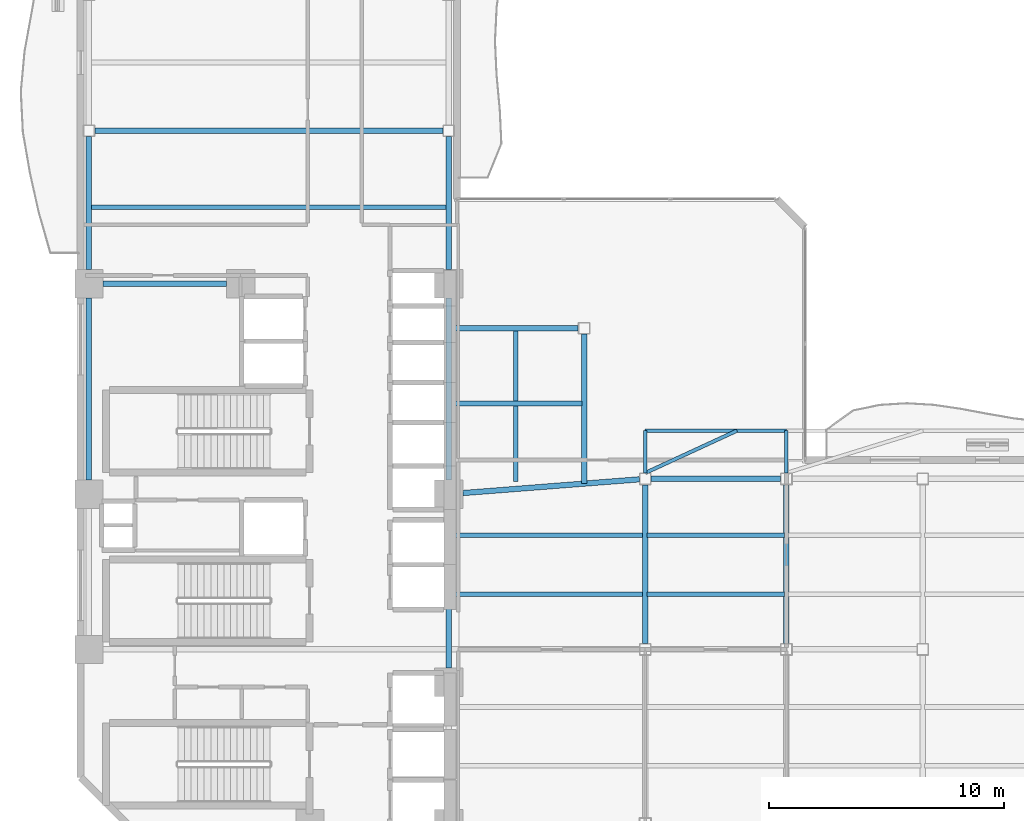
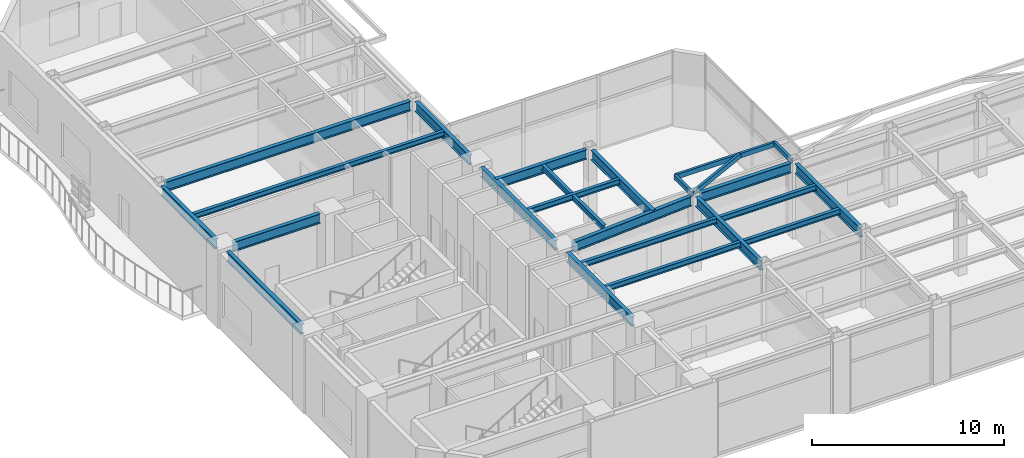
# One storey, part 6 of 23: 24 beams.
"""IFC4 building model written with IfcOpenShell, lengths in metres."""

from ifc_helpers import new_model, si_unit, direction, frame, origin, origin_2d, place, context, subcontext, project, spatial, hollow_rectangle, i_section, extrude, material, material_profile, profile_set, type_object, element, save


model = new_model("IFC4")

# Units and contexts
model_context = context("Model", 3, precision=1e-05, world=origin(), true_north=direction((0.0, 1.0)))
body_context = subcontext(model_context, "Body", "Model", "MODEL_VIEW")
ifc_project = project(units=[si_unit("LENGTHUNIT", "METRE"), si_unit("AREAUNIT", "SQUARE_METRE"), si_unit("VOLUMEUNIT", "CUBIC_METRE"), si_unit("PLANEANGLEUNIT", "RADIAN"), si_unit("MASSUNIT", "GRAM", prefix="KILO")], contexts=[model_context])

# Site, building, storey
site_placement = place(None, origin())
site = spatial("IfcSite", under=ifc_project, at=site_placement, CompositionType="ELEMENT")
building_placement = place(site_placement, origin())
building = spatial("IfcBuilding", under=site, at=building_placement, Name="Mawjaban Terraces University", CompositionType="ELEMENT")
storey_placement = place(building_placement, frame((0.0, 0.0, 98.39990234375)))
storey = spatial("IfcBuildingStorey", under=building, at=storey_placement, Name="L23", CompositionType="ELEMENT", Elevation=98.39990234375)

# Beams
ifc_material_1 = material(Name="Steel EN 10210-1 S355J2H", Category="steel")
ifc_material_profile_1 = material_profile(ifc_material_1, hollow_rectangle(XDim=0.14990234375, YDim=0.300048828125, WallThickness=0.012451171875, at=origin_2d()), Name="RHS300X150X12.5")
ifc_profile_set_1 = profile_set([ifc_material_profile_1], Name="Steel EN 10210-1 S355J2H")
beam_type_1 = type_object("IfcBeamType", Name="BalconyCantileverSpandrel_RHS", PredefinedType="SPANDREL", material=ifc_profile_set_1)
for number, where, z_axis, x_axis, name in (
    (1, (52.0, 15.449951171875, 4.64013671875), (0.0, 1.0, 0.0), (-1.0, 0.0, 0.0), "L23 Exterior Outrigger BAL-L24-N.1"),
    (2, (46.0, 15.449951171875, 4.64013671875), (0.0, 1.0, 0.0), (-1.0, 0.0, 0.0), "L23 Exterior Outrigger TER-L24-CLIMB.1"),
):
    element("IfcBeam", number, at=place(storey_placement, frame(where, z_axis=z_axis, x_axis=x_axis)), inside=storey, type_object=beam_type_1, Name=name, PredefinedType="SPANDREL", context=body_context, shape_type="SweptSolid", body=[
        extrude(hollow_rectangle(XDim=0.14990234375, YDim=0.300048828125, WallThickness=0.012451171875, at=origin_2d()), origin(), (0.0, 0.0, 1.0), 1.800048828125),
    ])
beam_1_placement = place(storey_placement, frame((46.0, 17.25, 4.64013671875), z_axis=(1.0, 0.0, 0.0), x_axis=(0.0, 1.0, 0.0)))
element("IfcBeam", 3, at=beam_1_placement, inside=storey, type_object=beam_type_1, Name="L23 Exterior Edge Spandrel TER-L24-CLIMB", PredefinedType="SPANDREL", context=body_context, shape_type="SweptSolid", body=[
    extrude(hollow_rectangle(XDim=0.14990234375, YDim=0.300048828125, WallThickness=0.012451171875, at=origin_2d()), origin(), (0.0, 0.0, 1.0), 6.0),
])
beam_2_placement = place(storey_placement, frame((46.0, 15.449951171875, 4.64013671875), z_axis=(0.907911124427, 0.419162725135, 0.0), x_axis=(-0.419162725135, 0.907911124427, 0.0)))
element("IfcBeam", 4, at=beam_2_placement, inside=storey, type_object=beam_type_1, Name="L23 Exterior Diagonal Strut TER-L24-CLIMB.1", PredefinedType="SPANDREL", context=body_context, shape_type="SweptSolid", body=[
    extrude(hollow_rectangle(XDim=0.14990234375, YDim=0.300048828125, WallThickness=0.012451171875, at=origin_2d()), origin(), (0.0, 0.0, 1.0), 4.29443359375),
])
ifc_material_2 = material(Name="Steel ASTM A572 Grade 50", Category="steel")
ifc_material_profile_2 = material_profile(ifc_material_2, i_section(OverallWidth=0.22998046875, OverallDepth=0.616943359375, WebThickness=0.01318359375, FlangeThickness=0.022216796875, at=origin_2d()), Name="W610X140")
ifc_profile_set_2 = profile_set([ifc_material_profile_2], Name="Steel ASTM A572 Grade 50")
beam_type_2 = type_object("IfcBeamType", Name="Beam_B_W610X140", PredefinedType="BEAM", material=ifc_profile_set_2)
beam_3_placement = place(storey_placement, frame((46.25, 15.199951171875, 4.482177734375), z_axis=(1.0, 0.0, 0.0), x_axis=(0.0, 1.0, 0.0)))
element("IfcBeam", 5, at=beam_3_placement, inside=storey, type_object=beam_type_2, Name="L23 Beam BM-L23-EW-08", PredefinedType="BEAM", context=body_context, shape_type="SweptSolid", body=[
    extrude(i_section(OverallWidth=0.22998046875, OverallDepth=0.616943359375, WebThickness=0.01318359375, FlangeThickness=0.022216796875, at=origin_2d()), origin(), (0.0, 0.0, 1.0), 5.5),
])
beam_4_placement = place(storey_placement, frame((22.949951171875, 23.5, 4.482177734375), z_axis=(1.0, 0.0, 0.0), x_axis=(0.0, 1.0, 0.0)))
element("IfcBeam", 6, at=beam_4_placement, inside=storey, type_object=beam_type_2, Name="L23 Beam BM-L23-EW-12", PredefinedType="BEAM", context=body_context, shape_type="SweptSolid", body=[
    extrude(i_section(OverallWidth=0.22998046875, OverallDepth=0.616943359375, WebThickness=0.01318359375, FlangeThickness=0.022216796875, at=origin_2d()), origin(), (0.0, 0.0, 1.0), 5.25),
])
beam_5_placement = place(storey_placement, frame((22.60009765625, 30.0, 4.482177734375), z_axis=(1.0, 0.0, 0.0), x_axis=(0.0, 1.0, 0.0)))
element("IfcBeam", 7, at=beam_5_placement, inside=storey, type_object=beam_type_2, Name="L23 Beam BM-L23-EW-13", PredefinedType="BEAM", context=body_context, shape_type="SweptSolid", body=[
    extrude(i_section(OverallWidth=0.22998046875, OverallDepth=0.616943359375, WebThickness=0.01318359375, FlangeThickness=0.022216796875, at=origin_2d()), origin(), (0.0, 0.0, 1.0), 14.7998046875),
])
beam_6_placement = place(storey_placement, frame((22.35009765625, 15.14990234375, 4.482177734375), z_axis=(0.0, 1.0, 0.0), x_axis=(-1.0, 0.0, 0.0)))
element("IfcBeam", 8, at=beam_6_placement, inside=storey, type_object=beam_type_2, Name="L23 Beam BM-L23-NS-02", PredefinedType="BEAM", context=body_context, shape_type="SweptSolid", body=[
    extrude(i_section(OverallWidth=0.22998046875, OverallDepth=0.616943359375, WebThickness=0.01318359375, FlangeThickness=0.022216796875, at=origin_2d()), origin(), (0.0, 0.0, 1.0), 7.75),
])
beam_7_placement = place(storey_placement, frame((22.35009765625, 24.10009765625, 4.482177734375), z_axis=(0.0, 1.0, 0.0), x_axis=(-1.0, 0.0, 0.0)))
element("IfcBeam", 9, at=beam_7_placement, inside=storey, type_object=beam_type_2, Name="L23 Beam BM-L23-NS-03", PredefinedType="BEAM", context=body_context, shape_type="SweptSolid", body=[
    extrude(i_section(OverallWidth=0.22998046875, OverallDepth=0.616943359375, WebThickness=0.01318359375, FlangeThickness=0.022216796875, at=origin_2d()), origin(), (0.0, 0.0, 1.0), 5.64990234375),
])
beam_8_placement = place(storey_placement, frame((37.64990234375, 7.14990234375, 4.482177734375), z_axis=(0.0, 1.0, 0.0), x_axis=(-1.0, 0.0, 0.0)))
element("IfcBeam", 10, at=beam_8_placement, inside=storey, type_object=beam_type_2, Name="L23 Beam BM-L23-NS-07", PredefinedType="BEAM", context=body_context, shape_type="SweptSolid", body=[
    extrude(i_section(OverallWidth=0.22998046875, OverallDepth=0.616943359375, WebThickness=0.01318359375, FlangeThickness=0.022216796875, at=origin_2d()), origin(), (0.0, 0.0, 1.0), 6.800048828125),
])
beam_9_placement = place(storey_placement, frame((37.64990234375, 15.14990234375, 4.482177734375), z_axis=(0.0, 1.0, 0.0), x_axis=(-1.0, 0.0, 0.0)))
element("IfcBeam", 11, at=beam_9_placement, inside=storey, type_object=beam_type_2, Name="L23 Beam BM-L23-NS-08", PredefinedType="BEAM", context=body_context, shape_type="SweptSolid", body=[
    extrude(i_section(OverallWidth=0.22998046875, OverallDepth=0.616943359375, WebThickness=0.01318359375, FlangeThickness=0.022216796875, at=origin_2d()), origin(), (0.0, 0.0, 1.0), 7.75),
])
beam_10_placement = place(storey_placement, frame((37.64990234375, 24.10009765625, 4.482177734375), z_axis=(0.0, 1.0, 0.0), x_axis=(-1.0, 0.0, 0.0)))
element("IfcBeam", 12, at=beam_10_placement, inside=storey, type_object=beam_type_2, Name="L23 Beam BM-L23-NS-09", PredefinedType="BEAM", context=body_context, shape_type="SweptSolid", body=[
    extrude(i_section(OverallWidth=0.22998046875, OverallDepth=0.616943359375, WebThickness=0.01318359375, FlangeThickness=0.022216796875, at=origin_2d()), origin(), (0.0, 0.0, 1.0), 5.64990234375),
])
for number, where, z_axis, x_axis, name in (
    (13, (46.0, 8.199951171875, 4.482177734375), (0.0, 1.0, 0.0), (-1.0, 0.0, 0.0), "L23 Beam BM-L23-NS-13"),
    (14, (52.0, 8.199951171875, 4.482177734375), (0.0, 1.0, 0.0), (-1.0, 0.0, 0.0), "L23 Beam BM-L23-NS-15"),
):
    element("IfcBeam", number, at=place(storey_placement, frame(where, z_axis=z_axis, x_axis=x_axis)), inside=storey, type_object=beam_type_2, Name=name, PredefinedType="BEAM", context=body_context, shape_type="SweptSolid", body=[
        extrude(i_section(OverallWidth=0.22998046875, OverallDepth=0.616943359375, WebThickness=0.01318359375, FlangeThickness=0.022216796875, at=origin_2d()), origin(), (0.0, 0.0, 1.0), 6.75),
    ])
beam_11_placement = place(storey_placement, frame((38.248046875, 14.596923828125, 4.482177734375), z_axis=(0.996984614132, 0.077599479273, 0.0), x_axis=(-0.077599479273, 0.996984614132, 0.0)))
element("IfcBeam", 15, at=beam_11_placement, inside=storey, type_object=beam_type_2, Name="L23 Beam BM-L23-CTIE", PredefinedType="BEAM", context=body_context, shape_type="SweptSolid", body=[
    extrude(i_section(OverallWidth=0.22998046875, OverallDepth=0.616943359375, WebThickness=0.01318359375, FlangeThickness=0.022216796875, at=origin_2d()), origin(), (0.0, 0.0, 1.0), 7.525634765625),
])
beam_12_placement = place(storey_placement, frame((37.679931640625, 21.60009765625, 4.482177734375), z_axis=(1.0, 0.0, 0.0), x_axis=(0.0, 1.0, 0.0)))
element("IfcBeam", 16, at=beam_12_placement, inside=storey, type_object=beam_type_2, Name="L23 Spur Tie Girder West", PredefinedType="BEAM", context=body_context, shape_type="SweptSolid", body=[
    extrude(i_section(OverallWidth=0.22998046875, OverallDepth=0.616943359375, WebThickness=0.01318359375, FlangeThickness=0.022216796875, at=origin_2d()), origin(), (0.0, 0.0, 1.0), 5.469970703125),
])
beam_13_placement = place(storey_placement, frame((43.39990234375, 15.0, 4.482177734375), z_axis=(0.0, 1.0, 0.0), x_axis=(-1.0, 0.0, 0.0)))
element("IfcBeam", 17, at=beam_13_placement, inside=storey, type_object=beam_type_2, Name="L23 Spur Tie Girder South", PredefinedType="BEAM", context=body_context, shape_type="SweptSolid", body=[
    extrude(i_section(OverallWidth=0.22998046875, OverallDepth=0.616943359375, WebThickness=0.01318359375, FlangeThickness=0.022216796875, at=origin_2d()), origin(), (0.0, 0.0, 1.0), 6.35009765625),
])
ifc_material_profile_3 = material_profile(ifc_material_2, i_section(OverallWidth=0.202880859375, OverallDepth=0.346923828125, WebThickness=0.0078125, FlangeThickness=0.013427734375, at=origin_2d()), Name="W360X64")
ifc_profile_set_3 = profile_set([ifc_material_profile_3], Name="Steel ASTM A572 Grade 50")
beam_type_3 = type_object("IfcBeamType", Name="Beam_J_W360X64", PredefinedType="JOIST", material=ifc_profile_set_3)
beam_14_placement = place(storey_placement, frame((37.72998046875, 10.300048828125, 4.6162109375), z_axis=(1.0, 0.0, 0.0), x_axis=(0.0, 1.0, 0.0)))
element("IfcBeam", 18, at=beam_14_placement, inside=storey, type_object=beam_type_3, Name="L23 Composite Joist JST-L23-09", PredefinedType="JOIST", context=body_context, shape_type="SweptSolid", body=[
    extrude(i_section(OverallWidth=0.202880859375, OverallDepth=0.346923828125, WebThickness=0.0078125, FlangeThickness=0.013427734375, at=origin_2d()), origin(), (0.0, 0.0, 1.0), 8.18994140625),
])
beam_15_placement = place(storey_placement, frame((46.080078125, 10.300048828125, 4.6162109375), z_axis=(1.0, 0.0, 0.0), x_axis=(0.0, 1.0, 0.0)))
element("IfcBeam", 19, at=beam_15_placement, inside=storey, type_object=beam_type_3, Name="L23 Composite Joist JST-L23-10", PredefinedType="JOIST", context=body_context, shape_type="SweptSolid", body=[
    extrude(i_section(OverallWidth=0.202880859375, OverallDepth=0.346923828125, WebThickness=0.0078125, FlangeThickness=0.013427734375, at=origin_2d()), origin(), (0.0, 0.0, 1.0), 5.83984375),
])
beam_16_placement = place(storey_placement, frame((37.72998046875, 12.800048828125, 4.6162109375), z_axis=(1.0, 0.0, 0.0), x_axis=(0.0, 1.0, 0.0)))
element("IfcBeam", 20, at=beam_16_placement, inside=storey, type_object=beam_type_3, Name="L23 Composite Joist JST-L23-13", PredefinedType="JOIST", context=body_context, shape_type="SweptSolid", body=[
    extrude(i_section(OverallWidth=0.202880859375, OverallDepth=0.346923828125, WebThickness=0.0078125, FlangeThickness=0.013427734375, at=origin_2d()), origin(), (0.0, 0.0, 1.0), 8.18994140625),
])
beam_17_placement = place(storey_placement, frame((46.080078125, 12.800048828125, 4.6162109375), z_axis=(1.0, 0.0, 0.0), x_axis=(0.0, 1.0, 0.0)))
element("IfcBeam", 21, at=beam_17_placement, inside=storey, type_object=beam_type_3, Name="L23 Composite Joist JST-L23-14", PredefinedType="JOIST", context=body_context, shape_type="SweptSolid", body=[
    extrude(i_section(OverallWidth=0.202880859375, OverallDepth=0.346923828125, WebThickness=0.0078125, FlangeThickness=0.013427734375, at=origin_2d()), origin(), (0.0, 0.0, 1.0), 5.83984375),
])
beam_18_placement = place(storey_placement, frame((37.72998046875, 18.39990234375, 4.6162109375), z_axis=(1.0, 0.0, 0.0), x_axis=(0.0, 1.0, 0.0)))
element("IfcBeam", 22, at=beam_18_placement, inside=storey, type_object=beam_type_3, Name="L23 Composite Joist JST-L23-17", PredefinedType="JOIST", context=body_context, shape_type="SweptSolid", body=[
    extrude(i_section(OverallWidth=0.202880859375, OverallDepth=0.346923828125, WebThickness=0.0078125, FlangeThickness=0.013427734375, at=origin_2d()), origin(), (0.0, 0.0, 1.0), 5.590087890625),
])
beam_19_placement = place(storey_placement, frame((22.429931640625, 26.75, 4.6162109375), z_axis=(1.0, 0.0, 0.0), x_axis=(0.0, 1.0, 0.0)))
element("IfcBeam", 23, at=beam_19_placement, inside=storey, type_object=beam_type_3, Name="L23 Composite Joist JST-L23-18", PredefinedType="JOIST", context=body_context, shape_type="SweptSolid", body=[
    extrude(i_section(OverallWidth=0.202880859375, OverallDepth=0.346923828125, WebThickness=0.0078125, FlangeThickness=0.013427734375, at=origin_2d()), origin(), (0.0, 0.0, 1.0), 15.14013671875),
])
beam_20_placement = place(storey_placement, frame((40.5, 15.080078125, 4.6162109375), z_axis=(0.0, 1.0, 0.0), x_axis=(-1.0, 0.0, 0.0)))
element("IfcBeam", 24, at=beam_20_placement, inside=storey, type_object=beam_type_3, Name="L23 Composite Joist JST-L23-NS-21", PredefinedType="JOIST", context=body_context, shape_type="SweptSolid", body=[
    extrude(i_section(OverallWidth=0.202880859375, OverallDepth=0.346923828125, WebThickness=0.0078125, FlangeThickness=0.013427734375, at=origin_2d()), origin(), (0.0, 0.0, 1.0), 6.43994140625),
])

save(model, "model.ifc")
